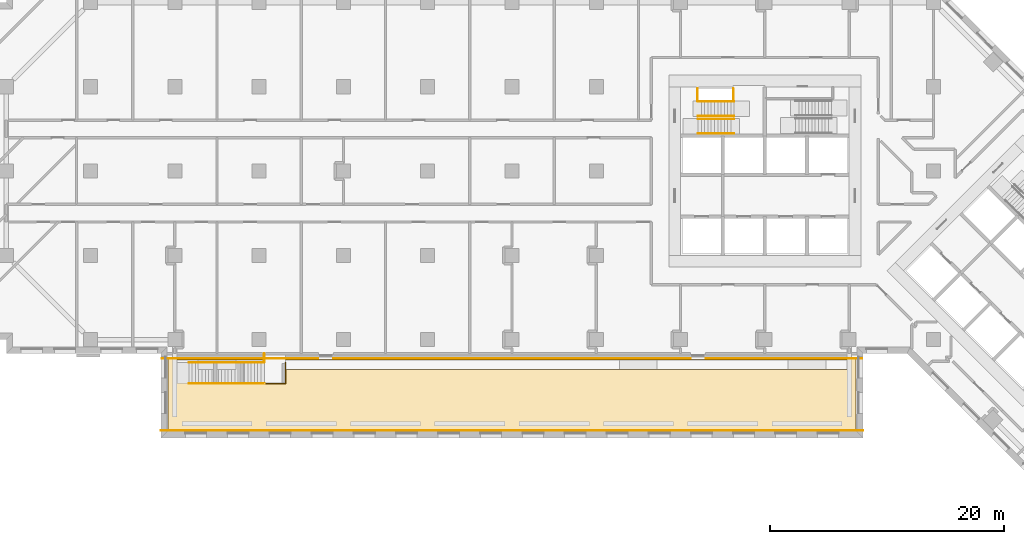
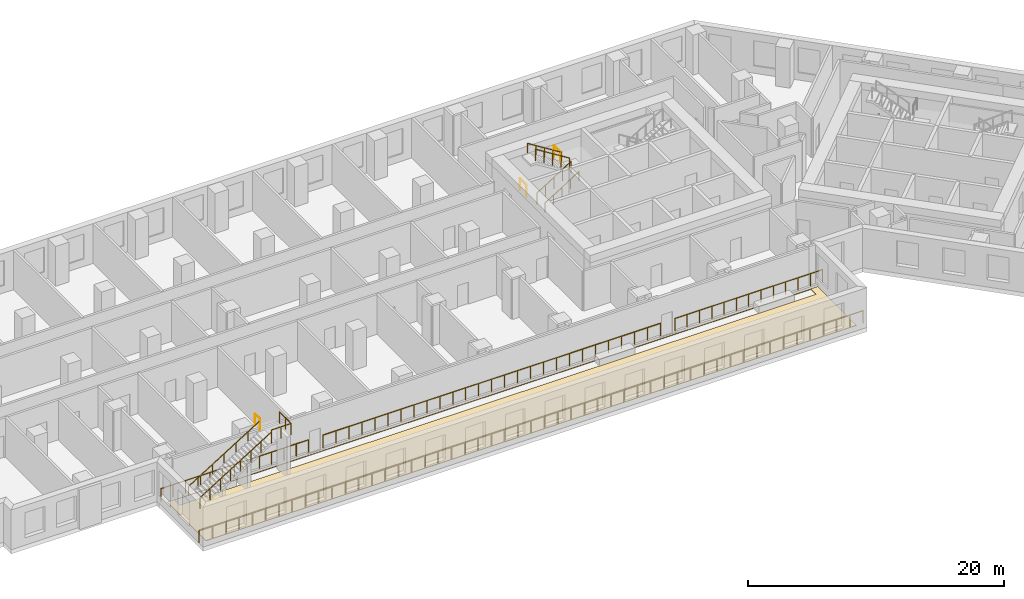
# One storey, part 12 of 14: 14 railings, 1 covering.
"""IFC4 building model written with IfcOpenShell, lengths in metres."""

from ifc_helpers import new_model, si_unit, direction, frame, origin, origin_2d, place, context, subcontext, project, spatial, polyline, circle, outline, extrude, material, layer, layer_set, type_object, element, save


model = new_model("IFC4")

# Units and contexts
model_context = context("Model", 3, precision=1e-05, world=origin(), true_north=direction((0.0, 1.0)))
body_context = subcontext(model_context, "Body", "Model", "MODEL_VIEW")
ifc_project = project(units=[si_unit("LENGTHUNIT", "METRE"), si_unit("AREAUNIT", "SQUARE_METRE"), si_unit("VOLUMEUNIT", "CUBIC_METRE"), si_unit("PLANEANGLEUNIT", "RADIAN"), si_unit("MASSUNIT", "GRAM", prefix="KILO")], contexts=[model_context])

# Site, building, storey
site_placement = place(None, origin())
site = spatial("IfcSite", under=ifc_project, at=site_placement, CompositionType="ELEMENT")
building_placement = place(site_placement, origin())
building = spatial("IfcBuilding", under=site, at=building_placement, Name="Windrow Commons", CompositionType="ELEMENT")
storey_placement = place(building_placement, frame((0.0, 0.0, 18.6)))
storey = spatial("IfcBuildingStorey", under=building, at=storey_placement, Name="L04", CompositionType="ELEMENT", Elevation=18.6)

# Railings
ifc_material_1 = material(Name="Steel S355", Category="steel")
railing_type_1 = type_object("IfcRailingType", Name="Core stair guard 1100", PredefinedType="GUARDRAIL", material=ifc_material_1)
railing_1_placement = place(storey_placement, frame((59.1, 62.05, 0.175)))
element("IfcRailing", 1, at=railing_1_placement, inside=storey, type_object=railing_type_1, Name="L04 ST-A1 stair guard 1", PredefinedType="GUARDRAIL", context=body_context, shape_type="SweptSolid", body=[
    extrude(circle(Radius=0.024, at=origin_2d()), frame((0.0, 0.0, 1.076), z_axis=(0.847998304, 0.0, 0.52999894), x_axis=(0.0, 1.0, 0.0)), (0.0, 0.0, 1.0), 3.6321),
    extrude(circle(Radius=0.021, at=origin_2d()), origin(), (0.0, 0.0, 1.0), 1.052),
    extrude(circle(Radius=0.021, at=origin_2d()), frame((0.77, 0.0, 0.4813)), (0.0, 0.0, 1.0), 1.052),
    extrude(circle(Radius=0.021, at=origin_2d()), frame((1.54, 0.0, 0.9625)), (0.0, 0.0, 1.0), 1.052),
    extrude(circle(Radius=0.021, at=origin_2d()), frame((2.31, 0.0, 1.4438)), (0.0, 0.0, 1.0), 1.052),
    extrude(circle(Radius=0.021, at=origin_2d()), frame((3.08, 0.0, 1.925)), (0.0, 0.0, 1.0), 1.052),
])
railing_2_placement = place(storey_placement, frame((62.18, 62.3, 2.275)))
element("IfcRailing", 2, at=railing_2_placement, inside=storey, type_object=railing_type_1, Name="L04 ST-A1 stair guard 2", PredefinedType="GUARDRAIL", context=body_context, shape_type="SweptSolid", body=[
    extrude(circle(Radius=0.024, at=origin_2d()), frame((0.0, 0.0, 1.076), z_axis=(-0.847998304, 0.0, 0.52999894), x_axis=(0.0, -1.0, 0.0)), (0.0, 0.0, 1.0), 3.6321),
    extrude(circle(Radius=0.021, at=origin_2d()), origin(), (0.0, 0.0, 1.0), 1.052),
    extrude(circle(Radius=0.021, at=origin_2d()), frame((-0.77, 0.0, 0.4813)), (0.0, 0.0, 1.0), 1.052),
    extrude(circle(Radius=0.021, at=origin_2d()), frame((-1.54, 0.0, 0.9625)), (0.0, 0.0, 1.0), 1.052),
    extrude(circle(Radius=0.021, at=origin_2d()), frame((-2.31, 0.0, 1.4438)), (0.0, 0.0, 1.0), 1.052),
    extrude(circle(Radius=0.021, at=origin_2d()), frame((-3.08, 0.0, 1.925)), (0.0, 0.0, 1.0), 1.052),
])
for number, where, name in (
    (3, (59.05, 63.6, 0.0), "L04 ST-A1 stair guard 3"),
    (4, (62.11, 63.6, 2.1), "L04 ST-A1 stair guard 4"),
):
    element("IfcRailing", number, at=place(storey_placement, frame(where)), inside=storey, type_object=railing_type_1, Name=name, PredefinedType="GUARDRAIL", context=body_context, shape_type="SweptSolid", body=[
        extrude(circle(Radius=0.024, at=origin_2d()), frame((0.0, 0.0, 1.076), z_axis=(0.0, 1.0, 0.0), x_axis=(-1.0, 0.0, 0.0)), (0.0, 0.0, 1.0), 1.03),
        extrude(circle(Radius=0.021, at=origin_2d()), origin(), (0.0, 0.0, 1.0), 1.052),
        extrude(circle(Radius=0.021, at=origin_2d()), frame((0.0, 1.03, 0.0)), (0.0, 0.0, 1.0), 1.052),
    ])
ifc_material_2 = material(Name="Steel S355", Category="steel")
railing_type_2 = type_object("IfcRailingType", Name="Core stair handrail 900", PredefinedType="HANDRAIL", material=ifc_material_2)
railing_3_placement = place(storey_placement, frame((59.1, 60.8, 0.175)))
element("IfcRailing", 5, at=railing_3_placement, inside=storey, type_object=railing_type_2, Name="L04 ST-A1 stair handrail 1", PredefinedType="HANDRAIL", context=body_context, shape_type="SweptSolid", body=[
    extrude(circle(Radius=0.024, at=origin_2d()), frame((0.0, 0.0, 0.876), z_axis=(0.847998304, 0.0, 0.52999894), x_axis=(0.0, 1.0, 0.0)), (0.0, 0.0, 1.0), 3.6321),
    extrude(circle(Radius=0.021, at=origin_2d()), origin(), (0.0, 0.0, 1.0), 0.852),
    extrude(circle(Radius=0.021, at=origin_2d()), frame((0.77, 0.0, 0.4813)), (0.0, 0.0, 1.0), 0.852),
    extrude(circle(Radius=0.021, at=origin_2d()), frame((1.54, 0.0, 0.9625)), (0.0, 0.0, 1.0), 0.852),
    extrude(circle(Radius=0.021, at=origin_2d()), frame((2.31, 0.0, 1.4438)), (0.0, 0.0, 1.0), 0.852),
    extrude(circle(Radius=0.021, at=origin_2d()), frame((3.08, 0.0, 1.925)), (0.0, 0.0, 1.0), 0.852),
])
railing_4_placement = place(storey_placement, frame((62.18, 63.55, 2.275)))
element("IfcRailing", 6, at=railing_4_placement, inside=storey, type_object=railing_type_2, Name="L04 ST-A1 stair handrail 2", PredefinedType="HANDRAIL", context=body_context, shape_type="SweptSolid", body=[
    extrude(circle(Radius=0.024, at=origin_2d()), frame((0.0, 0.0, 0.876), z_axis=(-0.847998304, 0.0, 0.52999894), x_axis=(0.0, -1.0, 0.0)), (0.0, 0.0, 1.0), 3.6321),
    extrude(circle(Radius=0.021, at=origin_2d()), origin(), (0.0, 0.0, 1.0), 0.852),
    extrude(circle(Radius=0.021, at=origin_2d()), frame((-0.77, 0.0, 0.4813)), (0.0, 0.0, 1.0), 0.852),
    extrude(circle(Radius=0.021, at=origin_2d()), frame((-1.54, 0.0, 0.9625)), (0.0, 0.0, 1.0), 0.852),
    extrude(circle(Radius=0.021, at=origin_2d()), frame((-2.31, 0.0, 1.4438)), (0.0, 0.0, 1.0), 0.852),
    extrude(circle(Radius=0.021, at=origin_2d()), frame((-3.08, 0.0, 1.925)), (0.0, 0.0, 1.0), 0.852),
])
ifc_material_3 = material(Name="Stainless steel S316 balustrade with toughened glass infill", Category="steel")
railing_type_3 = type_object("IfcRailingType", Name="Terrace guard 1100", PredefinedType="BALUSTRADE", material=ifc_material_3)
railing_5_placement = place(storey_placement, frame((15.6, 39.45, 0.0)))
element("IfcRailing", 7, at=railing_5_placement, inside=storey, type_object=railing_type_3, Name="Public stair guard L04.1", PredefinedType="BALUSTRADE", context=body_context, shape_type="SweptSolid", body=[
    extrude(circle(Radius=0.025, at=origin_2d()), frame((0.0, 0.0, 1.075), z_axis=(0.847998304, 0.0, 0.52999894), x_axis=(0.0, 1.0, 0.0)), (0.0, 0.0, 1.0), 7.5944),
    extrude(circle(Radius=0.02, at=origin_2d()), origin(), (0.0, 0.0, 1.0), 1.05),
    extrude(circle(Radius=0.02, at=origin_2d()), frame((0.92, 0.0, 0.575)), (0.0, 0.0, 1.0), 1.05),
    extrude(circle(Radius=0.02, at=origin_2d()), frame((1.84, 0.0, 1.15)), (0.0, 0.0, 1.0), 1.05),
    extrude(circle(Radius=0.02, at=origin_2d()), frame((2.76, 0.0, 1.725)), (0.0, 0.0, 1.0), 1.05),
    extrude(circle(Radius=0.02, at=origin_2d()), frame((3.68, 0.0, 2.3)), (0.0, 0.0, 1.0), 1.05),
    extrude(circle(Radius=0.02, at=origin_2d()), frame((4.6, 0.0, 2.875)), (0.0, 0.0, 1.0), 1.05),
    extrude(circle(Radius=0.02, at=origin_2d()), frame((5.52, 0.0, 3.45)), (0.0, 0.0, 1.0), 1.05),
    extrude(circle(Radius=0.02, at=origin_2d()), frame((6.44, 0.0, 4.025)), (0.0, 0.0, 1.0), 1.05),
])
railing_6_placement = place(storey_placement, frame((22.04, 39.45, 4.2)))
element("IfcRailing", 8, at=railing_6_placement, inside=storey, type_object=railing_type_3, Name="Public stair guard L04.2", PredefinedType="BALUSTRADE", context=body_context, shape_type="SweptSolid", body=[
    extrude(circle(Radius=0.025, at=origin_2d()), frame((0.0, 0.0, 1.075), z_axis=(1.0, 0.0, 0.0), x_axis=(0.0, 1.0, 0.0)), (0.0, 0.0, 1.0), 1.8),
    extrude(circle(Radius=0.025, at=origin_2d()), frame((1.8, 0.0, 1.075), z_axis=(0.0, 1.0, 0.0), x_axis=(-1.0, 0.0, 0.0)), (0.0, 0.0, 1.0), 1.8),
    extrude(circle(Radius=0.02, at=origin_2d()), origin(), (0.0, 0.0, 1.0), 1.05),
    extrude(circle(Radius=0.02, at=origin_2d()), frame((0.9, 0.0, 0.0)), (0.0, 0.0, 1.0), 1.05),
    extrude(circle(Radius=0.02, at=origin_2d()), frame((1.8, 0.0, 0.0)), (0.0, 0.0, 1.0), 1.05),
    extrude(circle(Radius=0.02, at=origin_2d()), frame((1.8, 0.9, 0.0)), (0.0, 0.0, 1.0), 1.05),
    extrude(circle(Radius=0.02, at=origin_2d()), frame((1.8, 1.8, 0.0)), (0.0, 0.0, 1.0), 1.05),
])
railing_7_placement = place(storey_placement, frame((22.04, 41.25, 4.2)))
element("IfcRailing", 9, at=railing_7_placement, inside=storey, type_object=railing_type_3, Name="Public stair guard L04.3", PredefinedType="BALUSTRADE", context=body_context, shape_type="SweptSolid", body=[
    extrude(circle(Radius=0.025, at=origin_2d()), frame((0.0, 0.0, 1.075), z_axis=(0.0, 1.0, 0.0), x_axis=(-1.0, 0.0, 0.0)), (0.0, 0.0, 1.0), 0.75),
    extrude(circle(Radius=0.02, at=origin_2d()), origin(), (0.0, 0.0, 1.0), 1.05),
    extrude(circle(Radius=0.02, at=origin_2d()), frame((0.0, 0.75, 0.0)), (0.0, 0.0, 1.0), 1.05),
])
ifc_material_4 = material(Name="Stainless steel S316 balustrade with toughened glass infill", Category="steel")
railing_type_4 = type_object("IfcRailingType", Name="Terrace guard 1200 podium", PredefinedType="BALUSTRADE", material=ifc_material_4)
railing_8_placement = place(storey_placement, frame((13.2, 35.42, 0.05)))
element("IfcRailing", 10, at=railing_8_placement, inside=storey, type_object=railing_type_4, Name="Guard TR-L04-1.S4", PredefinedType="BALUSTRADE", context=body_context, shape_type="SweptSolid", body=[
    extrude(circle(Radius=0.025, at=origin_2d()), frame((0.0, 0.0, 1.175), z_axis=(1.0, 0.0, 0.0), x_axis=(0.0, 1.0, 0.0)), (0.0, 0.0, 1.0), 60.0),
    extrude(circle(Radius=0.02, at=origin_2d()), origin(), (0.0, 0.0, 1.0), 1.15),
    extrude(circle(Radius=0.02, at=origin_2d()), frame((1.2, 0.0, 0.0)), (0.0, 0.0, 1.0), 1.15),
    extrude(circle(Radius=0.02, at=origin_2d()), frame((2.4, 0.0, 0.0)), (0.0, 0.0, 1.0), 1.15),
    extrude(circle(Radius=0.02, at=origin_2d()), frame((3.6, 0.0, 0.0)), (0.0, 0.0, 1.0), 1.15),
    extrude(circle(Radius=0.02, at=origin_2d()), frame((4.8, 0.0, 0.0)), (0.0, 0.0, 1.0), 1.15),
    extrude(circle(Radius=0.02, at=origin_2d()), frame((6.0, 0.0, 0.0)), (0.0, 0.0, 1.0), 1.15),
    extrude(circle(Radius=0.02, at=origin_2d()), frame((7.2, 0.0, 0.0)), (0.0, 0.0, 1.0), 1.15),
    extrude(circle(Radius=0.02, at=origin_2d()), frame((8.4, 0.0, 0.0)), (0.0, 0.0, 1.0), 1.15),
    extrude(circle(Radius=0.02, at=origin_2d()), frame((9.6, 0.0, 0.0)), (0.0, 0.0, 1.0), 1.15),
    extrude(circle(Radius=0.02, at=origin_2d()), frame((10.8, 0.0, 0.0)), (0.0, 0.0, 1.0), 1.15),
    extrude(circle(Radius=0.02, at=origin_2d()), frame((12.0, 0.0, 0.0)), (0.0, 0.0, 1.0), 1.15),
    extrude(circle(Radius=0.02, at=origin_2d()), frame((13.2, 0.0, 0.0)), (0.0, 0.0, 1.0), 1.15),
    extrude(circle(Radius=0.02, at=origin_2d()), frame((14.4, 0.0, 0.0)), (0.0, 0.0, 1.0), 1.15),
    extrude(circle(Radius=0.02, at=origin_2d()), frame((15.6, 0.0, 0.0)), (0.0, 0.0, 1.0), 1.15),
    extrude(circle(Radius=0.02, at=origin_2d()), frame((16.8, 0.0, 0.0)), (0.0, 0.0, 1.0), 1.15),
    extrude(circle(Radius=0.02, at=origin_2d()), frame((18.0, 0.0, 0.0)), (0.0, 0.0, 1.0), 1.15),
    extrude(circle(Radius=0.02, at=origin_2d()), frame((19.2, 0.0, 0.0)), (0.0, 0.0, 1.0), 1.15),
    extrude(circle(Radius=0.02, at=origin_2d()), frame((20.4, 0.0, 0.0)), (0.0, 0.0, 1.0), 1.15),
    extrude(circle(Radius=0.02, at=origin_2d()), frame((21.6, 0.0, 0.0)), (0.0, 0.0, 1.0), 1.15),
    extrude(circle(Radius=0.02, at=origin_2d()), frame((22.8, 0.0, 0.0)), (0.0, 0.0, 1.0), 1.15),
    extrude(circle(Radius=0.02, at=origin_2d()), frame((24.0, 0.0, 0.0)), (0.0, 0.0, 1.0), 1.15),
    extrude(circle(Radius=0.02, at=origin_2d()), frame((25.2, 0.0, 0.0)), (0.0, 0.0, 1.0), 1.15),
    extrude(circle(Radius=0.02, at=origin_2d()), frame((26.4, 0.0, 0.0)), (0.0, 0.0, 1.0), 1.15),
    extrude(circle(Radius=0.02, at=origin_2d()), frame((27.6, 0.0, 0.0)), (0.0, 0.0, 1.0), 1.15),
    extrude(circle(Radius=0.02, at=origin_2d()), frame((28.8, 0.0, 0.0)), (0.0, 0.0, 1.0), 1.15),
    extrude(circle(Radius=0.02, at=origin_2d()), frame((30.0, 0.0, 0.0)), (0.0, 0.0, 1.0), 1.15),
    extrude(circle(Radius=0.02, at=origin_2d()), frame((31.2, 0.0, 0.0)), (0.0, 0.0, 1.0), 1.15),
    extrude(circle(Radius=0.02, at=origin_2d()), frame((32.4, 0.0, 0.0)), (0.0, 0.0, 1.0), 1.15),
    extrude(circle(Radius=0.02, at=origin_2d()), frame((33.6, 0.0, 0.0)), (0.0, 0.0, 1.0), 1.15),
    extrude(circle(Radius=0.02, at=origin_2d()), frame((34.8, 0.0, 0.0)), (0.0, 0.0, 1.0), 1.15),
    extrude(circle(Radius=0.02, at=origin_2d()), frame((36.0, 0.0, 0.0)), (0.0, 0.0, 1.0), 1.15),
    extrude(circle(Radius=0.02, at=origin_2d()), frame((37.2, 0.0, 0.0)), (0.0, 0.0, 1.0), 1.15),
    extrude(circle(Radius=0.02, at=origin_2d()), frame((38.4, 0.0, 0.0)), (0.0, 0.0, 1.0), 1.15),
    extrude(circle(Radius=0.02, at=origin_2d()), frame((39.6, 0.0, 0.0)), (0.0, 0.0, 1.0), 1.15),
    extrude(circle(Radius=0.02, at=origin_2d()), frame((40.8, 0.0, 0.0)), (0.0, 0.0, 1.0), 1.15),
    extrude(circle(Radius=0.02, at=origin_2d()), frame((42.0, 0.0, 0.0)), (0.0, 0.0, 1.0), 1.15),
    extrude(circle(Radius=0.02, at=origin_2d()), frame((43.2, 0.0, 0.0)), (0.0, 0.0, 1.0), 1.15),
    extrude(circle(Radius=0.02, at=origin_2d()), frame((44.4, 0.0, 0.0)), (0.0, 0.0, 1.0), 1.15),
    extrude(circle(Radius=0.02, at=origin_2d()), frame((45.6, 0.0, 0.0)), (0.0, 0.0, 1.0), 1.15),
    extrude(circle(Radius=0.02, at=origin_2d()), frame((46.8, 0.0, 0.0)), (0.0, 0.0, 1.0), 1.15),
    extrude(circle(Radius=0.02, at=origin_2d()), frame((48.0, 0.0, 0.0)), (0.0, 0.0, 1.0), 1.15),
    extrude(circle(Radius=0.02, at=origin_2d()), frame((49.2, 0.0, 0.0)), (0.0, 0.0, 1.0), 1.15),
    extrude(circle(Radius=0.02, at=origin_2d()), frame((50.4, 0.0, 0.0)), (0.0, 0.0, 1.0), 1.15),
    extrude(circle(Radius=0.02, at=origin_2d()), frame((51.6, 0.0, 0.0)), (0.0, 0.0, 1.0), 1.15),
    extrude(circle(Radius=0.02, at=origin_2d()), frame((52.8, 0.0, 0.0)), (0.0, 0.0, 1.0), 1.15),
    extrude(circle(Radius=0.02, at=origin_2d()), frame((54.0, 0.0, 0.0)), (0.0, 0.0, 1.0), 1.15),
    extrude(circle(Radius=0.02, at=origin_2d()), frame((55.2, 0.0, 0.0)), (0.0, 0.0, 1.0), 1.15),
    extrude(circle(Radius=0.02, at=origin_2d()), frame((56.4, 0.0, 0.0)), (0.0, 0.0, 1.0), 1.15),
    extrude(circle(Radius=0.02, at=origin_2d()), frame((57.6, 0.0, 0.0)), (0.0, 0.0, 1.0), 1.15),
    extrude(circle(Radius=0.02, at=origin_2d()), frame((58.8, 0.0, 0.0)), (0.0, 0.0, 1.0), 1.15),
    extrude(circle(Radius=0.02, at=origin_2d()), frame((60.0, 0.0, 0.0)), (0.0, 0.0, 1.0), 1.15),
])
railing_9_placement = place(storey_placement, frame((73.1, 41.6, 0.25)))
element("IfcRailing", 11, at=railing_9_placement, inside=storey, type_object=railing_type_4, Name="Guard TR-L04-1.1", PredefinedType="BALUSTRADE", context=body_context, shape_type="SweptSolid", body=[
    extrude(circle(Radius=0.025, at=origin_2d()), frame((0.0, 0.0, 1.175), z_axis=(-1.0, 0.0, 0.0), x_axis=(0.0, -1.0, 0.0)), (0.0, 0.0, 1.0), 13.35),
    extrude(circle(Radius=0.02, at=origin_2d()), origin(), (0.0, 0.0, 1.0), 1.15),
    extrude(circle(Radius=0.02, at=origin_2d()), frame((-1.1125, 0.0, 0.0)), (0.0, 0.0, 1.0), 1.15),
    extrude(circle(Radius=0.02, at=origin_2d()), frame((-2.225, 0.0, 0.0)), (0.0, 0.0, 1.0), 1.15),
    extrude(circle(Radius=0.02, at=origin_2d()), frame((-3.3375, 0.0, 0.0)), (0.0, 0.0, 1.0), 1.15),
    extrude(circle(Radius=0.02, at=origin_2d()), frame((-4.45, 0.0, 0.0)), (0.0, 0.0, 1.0), 1.15),
    extrude(circle(Radius=0.02, at=origin_2d()), frame((-5.5625, 0.0, 0.0)), (0.0, 0.0, 1.0), 1.15),
    extrude(circle(Radius=0.02, at=origin_2d()), frame((-6.675, 0.0, 0.0)), (0.0, 0.0, 1.0), 1.15),
    extrude(circle(Radius=0.02, at=origin_2d()), frame((-7.7875, 0.0, 0.0)), (0.0, 0.0, 1.0), 1.15),
    extrude(circle(Radius=0.02, at=origin_2d()), frame((-8.9, 0.0, 0.0)), (0.0, 0.0, 1.0), 1.15),
    extrude(circle(Radius=0.02, at=origin_2d()), frame((-10.0125, 0.0, 0.0)), (0.0, 0.0, 1.0), 1.15),
    extrude(circle(Radius=0.02, at=origin_2d()), frame((-11.125, 0.0, 0.0)), (0.0, 0.0, 1.0), 1.15),
    extrude(circle(Radius=0.02, at=origin_2d()), frame((-12.2375, 0.0, 0.0)), (0.0, 0.0, 1.0), 1.15),
    extrude(circle(Radius=0.02, at=origin_2d()), frame((-13.35, 0.0, 0.0)), (0.0, 0.0, 1.0), 1.15),
])
railing_10_placement = place(storey_placement, frame((58.45, 41.6, 0.25)))
element("IfcRailing", 12, at=railing_10_placement, inside=storey, type_object=railing_type_4, Name="Guard TR-L04-1.1", PredefinedType="BALUSTRADE", context=body_context, shape_type="SweptSolid", body=[
    extrude(circle(Radius=0.025, at=origin_2d()), frame((0.0, 0.0, 1.175), z_axis=(-1.0, 0.0, 0.0), x_axis=(0.0, -1.0, 0.0)), (0.0, 0.0, 1.0), 30.5),
    extrude(circle(Radius=0.02, at=origin_2d()), origin(), (0.0, 0.0, 1.0), 1.15),
    extrude(circle(Radius=0.02, at=origin_2d()), frame((-1.1731, 0.0, 0.0)), (0.0, 0.0, 1.0), 1.15),
    extrude(circle(Radius=0.02, at=origin_2d()), frame((-2.3462, 0.0, 0.0)), (0.0, 0.0, 1.0), 1.15),
    extrude(circle(Radius=0.02, at=origin_2d()), frame((-3.5192, 0.0, 0.0)), (0.0, 0.0, 1.0), 1.15),
    extrude(circle(Radius=0.02, at=origin_2d()), frame((-4.6923, 0.0, 0.0)), (0.0, 0.0, 1.0), 1.15),
    extrude(circle(Radius=0.02, at=origin_2d()), frame((-5.8654, 0.0, 0.0)), (0.0, 0.0, 1.0), 1.15),
    extrude(circle(Radius=0.02, at=origin_2d()), frame((-7.0385, 0.0, 0.0)), (0.0, 0.0, 1.0), 1.15),
    extrude(circle(Radius=0.02, at=origin_2d()), frame((-8.2115, 0.0, 0.0)), (0.0, 0.0, 1.0), 1.15),
    extrude(circle(Radius=0.02, at=origin_2d()), frame((-9.3846, 0.0, 0.0)), (0.0, 0.0, 1.0), 1.15),
    extrude(circle(Radius=0.02, at=origin_2d()), frame((-10.5577, 0.0, 0.0)), (0.0, 0.0, 1.0), 1.15),
    extrude(circle(Radius=0.02, at=origin_2d()), frame((-11.7308, 0.0, 0.0)), (0.0, 0.0, 1.0), 1.15),
    extrude(circle(Radius=0.02, at=origin_2d()), frame((-12.9038, 0.0, 0.0)), (0.0, 0.0, 1.0), 1.15),
    extrude(circle(Radius=0.02, at=origin_2d()), frame((-14.0769, 0.0, 0.0)), (0.0, 0.0, 1.0), 1.15),
    extrude(circle(Radius=0.02, at=origin_2d()), frame((-15.25, 0.0, 0.0)), (0.0, 0.0, 1.0), 1.15),
    extrude(circle(Radius=0.02, at=origin_2d()), frame((-16.4231, 0.0, 0.0)), (0.0, 0.0, 1.0), 1.15),
    extrude(circle(Radius=0.02, at=origin_2d()), frame((-17.5962, 0.0, 0.0)), (0.0, 0.0, 1.0), 1.15),
    extrude(circle(Radius=0.02, at=origin_2d()), frame((-18.7692, 0.0, 0.0)), (0.0, 0.0, 1.0), 1.15),
    extrude(circle(Radius=0.02, at=origin_2d()), frame((-19.9423, 0.0, 0.0)), (0.0, 0.0, 1.0), 1.15),
    extrude(circle(Radius=0.02, at=origin_2d()), frame((-21.1154, 0.0, 0.0)), (0.0, 0.0, 1.0), 1.15),
    extrude(circle(Radius=0.02, at=origin_2d()), frame((-22.2885, 0.0, 0.0)), (0.0, 0.0, 1.0), 1.15),
    extrude(circle(Radius=0.02, at=origin_2d()), frame((-23.4615, 0.0, 0.0)), (0.0, 0.0, 1.0), 1.15),
    extrude(circle(Radius=0.02, at=origin_2d()), frame((-24.6346, 0.0, 0.0)), (0.0, 0.0, 1.0), 1.15),
    extrude(circle(Radius=0.02, at=origin_2d()), frame((-25.8077, 0.0, 0.0)), (0.0, 0.0, 1.0), 1.15),
    extrude(circle(Radius=0.02, at=origin_2d()), frame((-26.9808, 0.0, 0.0)), (0.0, 0.0, 1.0), 1.15),
    extrude(circle(Radius=0.02, at=origin_2d()), frame((-28.1538, 0.0, 0.0)), (0.0, 0.0, 1.0), 1.15),
    extrude(circle(Radius=0.02, at=origin_2d()), frame((-29.3269, 0.0, 0.0)), (0.0, 0.0, 1.0), 1.15),
    extrude(circle(Radius=0.02, at=origin_2d()), frame((-30.5, 0.0, 0.0)), (0.0, 0.0, 1.0), 1.15),
])
railing_11_placement = place(storey_placement, frame((26.65, 41.6, 0.25)))
element("IfcRailing", 13, at=railing_11_placement, inside=storey, type_object=railing_type_4, Name="Guard TR-L04-1.1", PredefinedType="BALUSTRADE", context=body_context, shape_type="SweptSolid", body=[
    extrude(circle(Radius=0.025, at=origin_2d()), frame((0.0, 0.0, 1.175), z_axis=(-1.0, 0.0, 0.0), x_axis=(0.0, -1.0, 0.0)), (0.0, 0.0, 1.0), 13.35),
    extrude(circle(Radius=0.02, at=origin_2d()), origin(), (0.0, 0.0, 1.0), 1.15),
    extrude(circle(Radius=0.02, at=origin_2d()), frame((-1.1125, 0.0, 0.0)), (0.0, 0.0, 1.0), 1.15),
    extrude(circle(Radius=0.02, at=origin_2d()), frame((-2.225, 0.0, 0.0)), (0.0, 0.0, 1.0), 1.15),
    extrude(circle(Radius=0.02, at=origin_2d()), frame((-3.3375, 0.0, 0.0)), (0.0, 0.0, 1.0), 1.15),
    extrude(circle(Radius=0.02, at=origin_2d()), frame((-4.45, 0.0, 0.0)), (0.0, 0.0, 1.0), 1.15),
    extrude(circle(Radius=0.02, at=origin_2d()), frame((-5.5625, 0.0, 0.0)), (0.0, 0.0, 1.0), 1.15),
    extrude(circle(Radius=0.02, at=origin_2d()), frame((-6.675, 0.0, 0.0)), (0.0, 0.0, 1.0), 1.15),
    extrude(circle(Radius=0.02, at=origin_2d()), frame((-7.7875, 0.0, 0.0)), (0.0, 0.0, 1.0), 1.15),
    extrude(circle(Radius=0.02, at=origin_2d()), frame((-8.9, 0.0, 0.0)), (0.0, 0.0, 1.0), 1.15),
    extrude(circle(Radius=0.02, at=origin_2d()), frame((-10.0125, 0.0, 0.0)), (0.0, 0.0, 1.0), 1.15),
    extrude(circle(Radius=0.02, at=origin_2d()), frame((-11.125, 0.0, 0.0)), (0.0, 0.0, 1.0), 1.15),
    extrude(circle(Radius=0.02, at=origin_2d()), frame((-12.2375, 0.0, 0.0)), (0.0, 0.0, 1.0), 1.15),
    extrude(circle(Radius=0.02, at=origin_2d()), frame((-13.35, 0.0, 0.0)), (0.0, 0.0, 1.0), 1.15),
])

# Covering
ifc_material_5 = material(Name="Granite pavers on waterproofing membrane", Category="masonry")
ifc_layer = layer(ifc_material_5, 0.05)
ifc_layer_set = layer_set([ifc_layer], Name="Terrace roofing 50")
covering_type = type_object("IfcCoveringType", Name="Terrace roofing 50", PredefinedType="ROOFING", material=ifc_layer_set)
covering_placement = place(storey_placement, origin())
element("IfcCovering", 14, at=covering_placement, inside=storey, type_object=covering_type, Name="Terrace roofing TR-L04-1", PredefinedType="ROOFING", context=body_context, shape_type="SweptSolid", body=[
    extrude(outline(polyline([(72.6, 41.49), (72.6, 35.4), (13.8, 35.4), (13.8, 41.49), (72.6, 41.49)]), holes=[polyline([(14.45, 41.46), (14.45, 40.64), (71.95, 40.64), (71.95, 41.46), (14.45, 41.46)])]), origin(), (0.0, 0.0, 1.0), 0.05),
])

# Railing
ifc_material_6 = material(Name="Stainless steel S316 handrail", Category="steel")
railing_type_5 = type_object("IfcRailingType", Name="Terrace stair handrail 900", PredefinedType="HANDRAIL", material=ifc_material_6)
railing_12_placement = place(storey_placement, frame((15.6, 41.25, 0.175)))
element("IfcRailing", 15, at=railing_12_placement, inside=storey, type_object=railing_type_5, Name="Public stair handrail L04.1", PredefinedType="HANDRAIL", context=body_context, shape_type="SweptSolid", body=[
    extrude(circle(Radius=0.025, at=origin_2d()), frame((0.0, 0.0, 0.875), z_axis=(0.847998304, 0.0, 0.52999894), x_axis=(0.0, 1.0, 0.0)), (0.0, 0.0, 1.0), 7.5944),
    extrude(circle(Radius=0.02, at=origin_2d()), origin(), (0.0, 0.0, 1.0), 0.85),
    extrude(circle(Radius=0.02, at=origin_2d()), frame((1.0733, 0.0, 0.6708)), (0.0, 0.0, 1.0), 0.85),
    extrude(circle(Radius=0.02, at=origin_2d()), frame((2.1467, 0.0, 1.3417)), (0.0, 0.0, 1.0), 0.85),
    extrude(circle(Radius=0.02, at=origin_2d()), frame((3.22, 0.0, 2.0125)), (0.0, 0.0, 1.0), 0.85),
    extrude(circle(Radius=0.02, at=origin_2d()), frame((4.2933, 0.0, 2.6833)), (0.0, 0.0, 1.0), 0.85),
    extrude(circle(Radius=0.02, at=origin_2d()), frame((5.3667, 0.0, 3.3542)), (0.0, 0.0, 1.0), 0.85),
    extrude(circle(Radius=0.02, at=origin_2d()), frame((6.44, 0.0, 4.025)), (0.0, 0.0, 1.0), 0.85),
])

save(model, "model.ifc")
